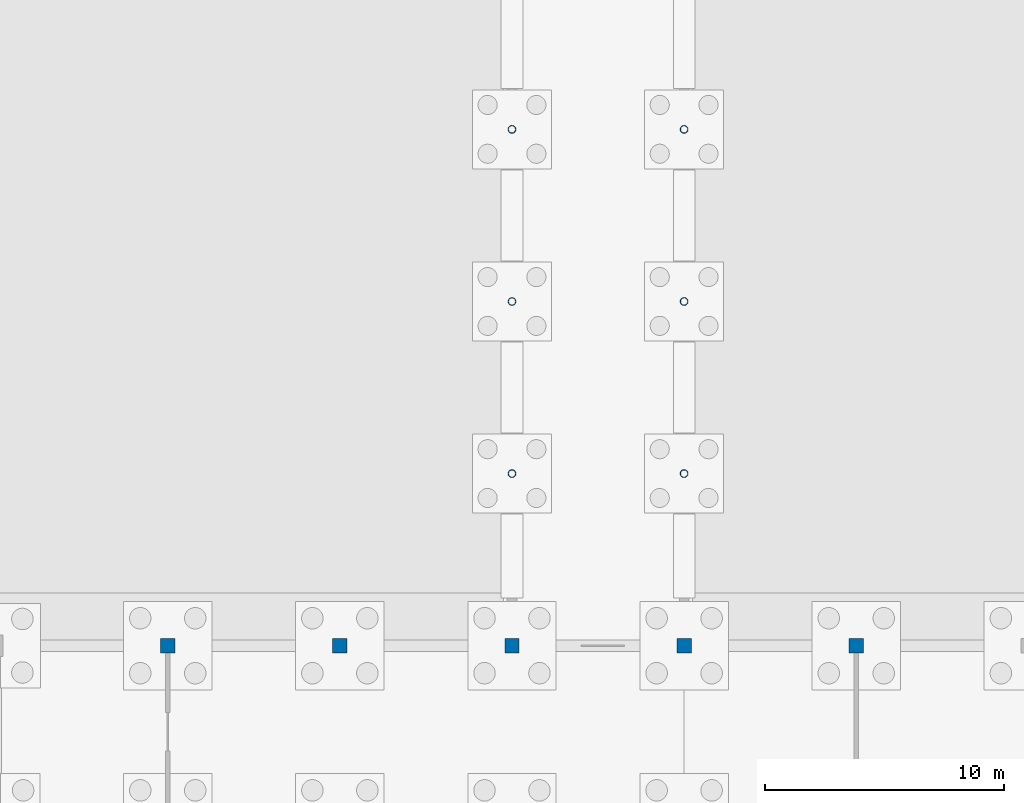
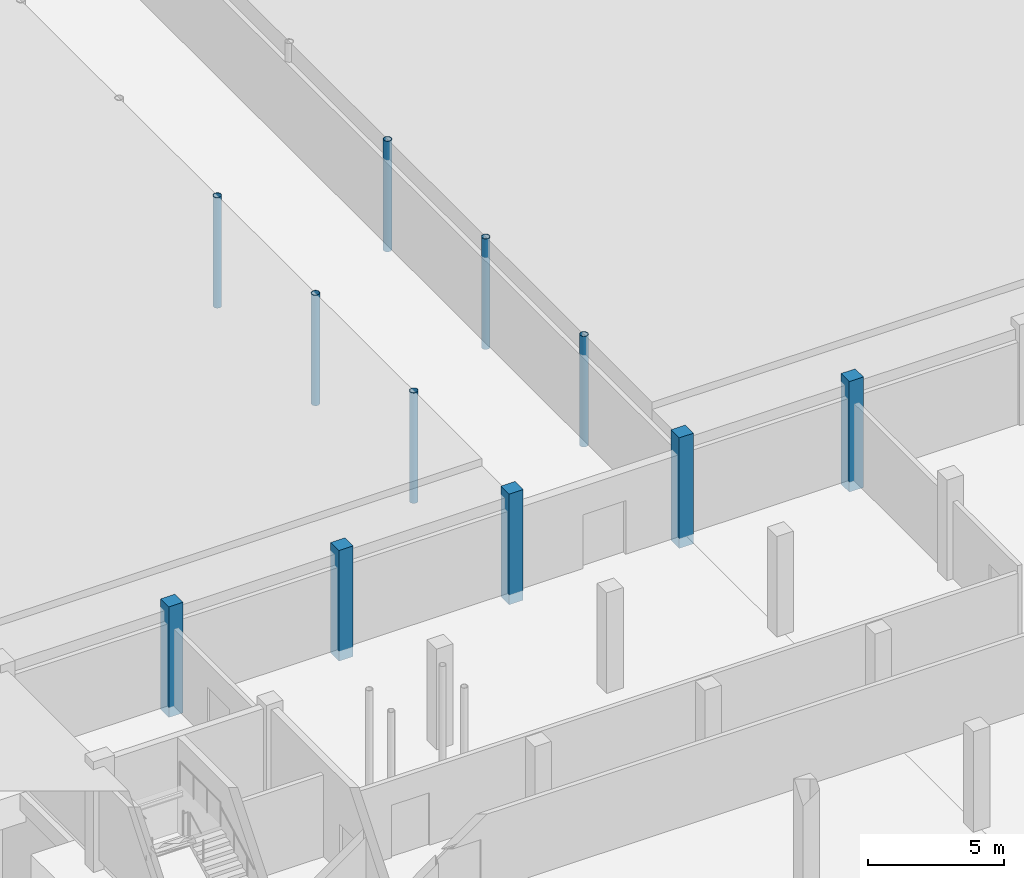
# One storey, part 15 of 51: 11 columns.
"""IFC4 building model written with IfcOpenShell, lengths in metres."""

from ifc_helpers import new_model, si_unit, direction, frame, origin, origin_2d, place, context, subcontext, project, spatial, rectangle, hollow_circle, extrude, material, material_profile, profile_set, type_object, element, save


model = new_model("IFC4")

# Units and contexts
model_context = context("Model", 3, precision=1e-05, world=origin(), true_north=direction((0.0, 1.0)))
body_context = subcontext(model_context, "Body", "Model", "MODEL_VIEW")
ifc_project = project(units=[si_unit("LENGTHUNIT", "METRE"), si_unit("AREAUNIT", "SQUARE_METRE"), si_unit("VOLUMEUNIT", "CUBIC_METRE"), si_unit("PLANEANGLEUNIT", "RADIAN"), si_unit("MASSUNIT", "GRAM", prefix="KILO")], contexts=[model_context])

# Site, building, storey
site_placement = place(None, origin())
site = spatial("IfcSite", under=ifc_project, at=site_placement, CompositionType="ELEMENT")
building_placement = place(site_placement, origin())
building = spatial("IfcBuilding", under=site, at=building_placement, Name="Zlatovets Crest Museum", CompositionType="ELEMENT")
storey_placement = place(building_placement, frame((0.0, 0.0, -4.5)))
storey = spatial("IfcBuildingStorey", under=building, at=storey_placement, Name="B1", CompositionType="ELEMENT", Elevation=-4.5)

# Columns
ifc_material_1 = material(Name="Concrete C35/45", Category="concrete")
ifc_material_profile_1 = material_profile(ifc_material_1, rectangle(XDim=0.60009765625, YDim=0.60009765625, at=origin_2d()), Name="RC 600x600")
ifc_profile_set_1 = profile_set([ifc_material_profile_1], Name="Concrete C35/45")
column_type_1 = type_object("IfcColumnType", Name="Col_C-02", PredefinedType="COLUMN", material=ifc_profile_set_1)
for number, where, z_axis, x_axis, name in (
    (1, (64.800048828125, 28.800048828125, -0.449951171875), (0.0, 0.0, 1.0), (0.0, 1.0, 0.0), "V2 B1 Column (64.8, 28.8)"),
    (2, (72.0, 28.800048828125, -0.449951171875), (0.0, 0.0, 1.0), (1.0, 0.0, 0.0), "V2 B1 Column (72.0, 28.8)"),
    (3, (79.199951171875, 28.800048828125, -0.449951171875), (0.0, 0.0, 1.0), (0.0, 1.0, 0.0), "V2 B1 Column (79.2, 28.8)"),
    (4, (86.39990234375, 28.800048828125, -0.449951171875), (0.0, 0.0, 1.0), (1.0, 0.0, 0.0), "V2 B1 Column (86.4, 28.8)"),
    (5, (93.60009765625, 28.800048828125, -0.449951171875), (0.0, 0.0, 1.0), (0.0, 1.0, 0.0), "V2 B1 Column (93.6, 28.8)"),
):
    element("IfcColumn", number, at=place(storey_placement, frame(where, z_axis=z_axis, x_axis=x_axis)), inside=storey, type_object=column_type_1, Name=name, PredefinedType="COLUMN", context=body_context, shape_type="SweptSolid", body=[
        extrude(rectangle(XDim=0.60009765625, YDim=0.60009765625, at=origin_2d()), origin(), (0.0, 0.0, 1.0), 4.949951171875),
    ])
ifc_material_2 = material(Name="Structural steel S355J2", Category="steel")
ifc_material_profile_2 = material_profile(ifc_material_2, hollow_circle(Radius=0.161865234375, WallThickness=0.012451171875, at=origin_2d()), Name="CHS 323.9x12.5")
ifc_profile_set_2 = profile_set([ifc_material_profile_2], Name="Structural steel S355J2")
column_type_2 = type_object("IfcColumnType", Name="Col_C-13", PredefinedType="COLUMN", material=ifc_profile_set_2)
for number, where, z_axis, x_axis, name in (
    (6, (79.199951171875, 36.0, -0.449951171875), (0.0, 0.0, 1.0), (1.0, 0.0, 0.0), "Central Sculpture Court Cloister and Skywalk Portal Column"),
    (7, (86.39990234375, 36.0, -0.449951171875), (0.0, 0.0, 1.0), (1.0, 0.0, 0.0), "Central Sculpture Court Cloister and Skywalk Portal Column"),
    (8, (79.199951171875, 43.199951171875, -0.449951171875), (0.0, 0.0, 1.0), (1.0, 0.0, 0.0), "Central Sculpture Court Cloister and Skywalk Portal Column"),
    (9, (86.39990234375, 43.199951171875, -0.449951171875), (0.0, 0.0, 1.0), (1.0, 0.0, 0.0), "Central Sculpture Court Cloister and Skywalk Portal Column"),
    (10, (79.199951171875, 50.39990234375, -0.449951171875), (0.0, 0.0, 1.0), (1.0, 0.0, 0.0), "Central Sculpture Court Cloister and Skywalk Portal Column"),
    (11, (86.39990234375, 50.39990234375, -0.449951171875), (0.0, 0.0, 1.0), (1.0, 0.0, 0.0), "Central Sculpture Court Cloister and Skywalk Portal Column"),
):
    element("IfcColumn", number, at=place(storey_placement, frame(where, z_axis=z_axis, x_axis=x_axis)), inside=storey, type_object=column_type_2, Name=name, PredefinedType="COLUMN", context=body_context, shape_type="SweptSolid", body=[
        extrude(hollow_circle(Radius=0.161865234375, WallThickness=0.012451171875, at=origin_2d()), origin(), (0.0, 0.0, 1.0), 4.949951171875),
    ])

save(model, "model.ifc")
